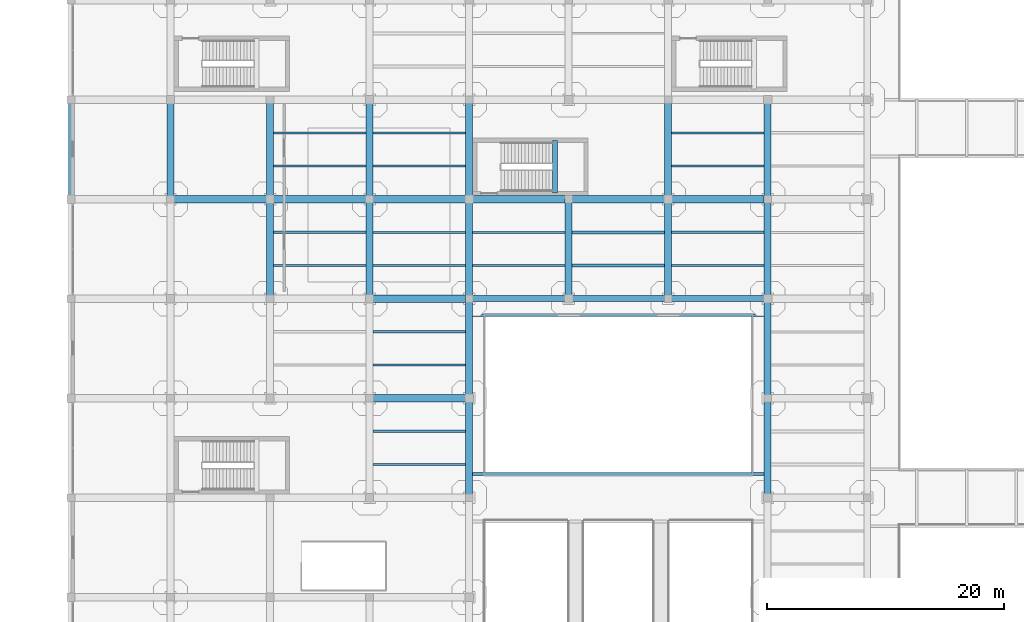
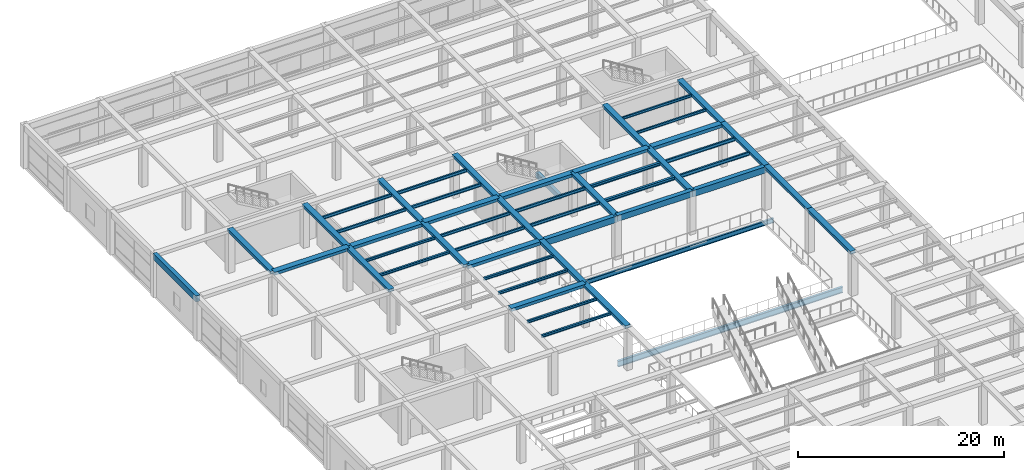
# One storey, part 20 of 65: 51 beams.
"""IFC4 building model written with IfcOpenShell, lengths in metres."""

from ifc_helpers import new_model, si_unit, direction, frame, origin, origin_2d, place, context, subcontext, project, spatial, rectangle, i_section, extrude, material, material_profile, profile_set, type_object, element, save


model = new_model("IFC4")

# Units and contexts
model_context = context("Model", 3, precision=1e-05, world=origin(), true_north=direction((0.0, 1.0)))
body_context = subcontext(model_context, "Body", "Model", "MODEL_VIEW")
ifc_project = project(units=[si_unit("LENGTHUNIT", "METRE"), si_unit("AREAUNIT", "SQUARE_METRE"), si_unit("VOLUMEUNIT", "CUBIC_METRE"), si_unit("PLANEANGLEUNIT", "RADIAN"), si_unit("MASSUNIT", "GRAM", prefix="KILO")], contexts=[model_context])

# Site, building, storey
site_placement = place(None, origin())
site = spatial("IfcSite", under=ifc_project, at=site_placement, CompositionType="ELEMENT")
building_placement = place(site_placement, origin())
building = spatial("IfcBuilding", under=site, at=building_placement, Name="Almacenes y Pasaje Nevantli", CompositionType="ELEMENT")
storey_placement = place(building_placement, frame((0.0, 0.0, 16.800048828125)))
storey = spatial("IfcBuildingStorey", under=building, at=storey_placement, Name="L04", CompositionType="ELEMENT", Elevation=16.800048828125)

# Beams
ifc_material_1 = material(Name="Concrete C35/45", Category="concrete")
ifc_material_profile_1 = material_profile(ifc_material_1, rectangle(XDim=0.39990234375, YDim=0.60009765625, at=origin_2d()), Name="RC-BM-400x600")
ifc_profile_set_1 = profile_set([ifc_material_profile_1], Name="Concrete C35/45")
beam_type_1 = type_object("IfcBeamType", Name="BM-RC-400x600", PredefinedType="SPANDREL", material=ifc_profile_set_1)
beam_1_placement = place(storey_placement, frame((40.85009765625, 84.5, 2.199951171875), z_axis=(0.0, 1.0, 0.0), x_axis=(-1.0, 0.0, 0.0)))
element("IfcBeam", 1, at=beam_1_placement, inside=storey, type_object=beam_type_1, Name="L04 Stair ST-15 Half-Landing Support Beam", PredefinedType="SPANDREL", context=body_context, shape_type="SweptSolid", body=[
    extrude(rectangle(XDim=0.39990234375, YDim=0.60009765625, at=origin_2d()), origin(), (0.0, 0.0, 1.0), 4.449951171875),
])
ifc_material_2 = material(Name="Concrete C35/45", Category="concrete")
ifc_material_profile_2 = material_profile(ifc_material_2, rectangle(XDim=0.449951171875, YDim=0.699951171875, at=origin_2d()), Name="RC-BM-450x700")
ifc_profile_set_2 = profile_set([ifc_material_profile_2], Name="Concrete C35/45")
beam_type_2 = type_object("IfcBeamType", Name="BM-RC-450x700", PredefinedType="SPANDREL", material=ifc_profile_set_2)
beam_2_placement = place(storey_placement, frame((0.0, 84.0, 4.75), z_axis=(0.0, 1.0, 0.0), x_axis=(-1.0, 0.0, 0.0)))
element("IfcBeam", 2, at=beam_2_placement, inside=storey, type_object=beam_type_2, Name="L04 North-South Reinforced Concrete Beam #3000", PredefinedType="SPANDREL", context=body_context, shape_type="SweptSolid", body=[
    extrude(rectangle(XDim=0.449951171875, YDim=0.699951171875, at=origin_2d()), origin(), (0.0, 0.0, 1.0), 8.39990234375),
])
ifc_material_3 = material(Name="Concrete C35/45", Category="concrete")
ifc_material_profile_3 = material_profile(ifc_material_3, rectangle(XDim=0.5, YDim=0.699951171875, at=origin_2d()), Name="RC-BM-500x700")
ifc_profile_set_3 = profile_set([ifc_material_profile_3], Name="Concrete C35/45")
beam_type_3 = type_object("IfcBeamType", Name="BM-RC-500x700", PredefinedType="BEAM", material=ifc_profile_set_3)
beam_3_placement = place(storey_placement, frame((42.0, 75.60009765625, 4.75), z_axis=(1.0, 0.0, 0.0), x_axis=(0.0, 1.0, 0.0)))
element("IfcBeam", 3, at=beam_3_placement, inside=storey, type_object=beam_type_3, Name="L04 East-West Reinforced Concrete Beam #2893", PredefinedType="BEAM", context=body_context, shape_type="SweptSolid", body=[
    extrude(rectangle(XDim=0.5, YDim=0.699951171875, at=origin_2d()), origin(), (0.0, 0.0, 1.0), 8.39990234375),
])
ifc_material_4 = material(Name="Concrete C35/45", Category="concrete")
ifc_material_profile_4 = material_profile(ifc_material_4, rectangle(XDim=0.5, YDim=0.75, at=origin_2d()), Name="RC-BM-500x750")
ifc_profile_set_4 = profile_set([ifc_material_profile_4], Name="Concrete C35/45")
beam_type_4 = type_object("IfcBeamType", Name="BM-RC-500x750", PredefinedType="BEAM", material=ifc_profile_set_4)
beam_4_placement = place(storey_placement, frame((33.60009765625, 75.60009765625, 4.724853515625), z_axis=(1.0, 0.0, 0.0), x_axis=(0.0, 1.0, 0.0)))
element("IfcBeam", 4, at=beam_4_placement, inside=storey, type_object=beam_type_4, Name="L04 East-West Reinforced Concrete Beam #2892", PredefinedType="BEAM", context=body_context, shape_type="SweptSolid", body=[
    extrude(rectangle(XDim=0.5, YDim=0.75, at=origin_2d()), origin(), (0.0, 0.0, 1.0), 8.39990234375),
])
beam_5_placement = place(storey_placement, frame((50.39990234375, 75.60009765625, 4.724853515625), z_axis=(1.0, 0.0, 0.0), x_axis=(0.0, 1.0, 0.0)))
element("IfcBeam", 5, at=beam_5_placement, inside=storey, type_object=beam_type_4, Name="L04 East-West Reinforced Concrete Beam #2894", PredefinedType="BEAM", context=body_context, shape_type="SweptSolid", body=[
    extrude(rectangle(XDim=0.5, YDim=0.75, at=origin_2d()), origin(), (0.0, 0.0, 1.0), 8.400146484375),
])
ifc_material_5 = material(Name="Concrete C35/45", Category="concrete")
ifc_material_profile_5 = material_profile(ifc_material_5, rectangle(XDim=0.60009765625, YDim=0.320068359375, at=origin_2d()), Name="RC-BM-600x320")
ifc_profile_set_5 = profile_set([ifc_material_profile_5], Name="Concrete C35/45")
beam_type_5 = type_object("IfcBeamType", Name="BM-RC-600x320", PredefinedType="BEAM", material=ifc_profile_set_5)
for number, where, z_axis, x_axis, name in (
    (6, (8.39990234375, 84.0, 4.93994140625), (0.0, 1.0, 0.0), (-1.0, 0.0, 0.0), "L04 North-South Reinforced Concrete Beam #3011"),
    (7, (16.800048828125, 75.60009765625, 4.93994140625), (0.0, 1.0, 0.0), (-1.0, 0.0, 0.0), "L04 North-South Reinforced Concrete Beam #3020"),
    (8, (25.199951171875, 84.0, 4.93994140625), (0.0, 1.0, 0.0), (-1.0, 0.0, 0.0), "L04 North-South Reinforced Concrete Beam #3033"),
    (9, (33.60009765625, 58.800048828125, 4.93994140625), (0.0, 1.0, 0.0), (-1.0, 0.0, 0.0), "L04 North-South Reinforced Concrete Beam #3043"),
    (10, (33.60009765625, 75.60009765625, 4.93994140625), (0.0, 1.0, 0.0), (-1.0, 0.0, 0.0), "L04 North-South Reinforced Concrete Beam #3045"),
    (11, (50.39990234375, 75.60009765625, 4.93994140625), (0.0, 1.0, 0.0), (-1.0, 0.0, 0.0), "L04 North-South Reinforced Concrete Beam #3063"),
):
    element("IfcBeam", number, at=place(storey_placement, frame(where, z_axis=z_axis, x_axis=x_axis)), inside=storey, type_object=beam_type_5, Name=name, PredefinedType="BEAM", context=body_context, shape_type="SweptSolid", body=[
        extrude(rectangle(XDim=0.60009765625, YDim=0.320068359375, at=origin_2d()), origin(), (0.0, 0.0, 1.0), 8.39990234375),
    ])
beam_6_placement = place(storey_placement, frame((58.800048828125, 67.199951171875, 4.93994140625), z_axis=(0.0, 1.0, 0.0), x_axis=(-1.0, 0.0, 0.0)))
element("IfcBeam", 12, at=beam_6_placement, inside=storey, type_object=beam_type_5, Name="L04 North-South Reinforced Concrete Beam #3076", PredefinedType="BEAM", context=body_context, shape_type="SweptSolid", body=[
    extrude(rectangle(XDim=0.60009765625, YDim=0.320068359375, at=origin_2d()), origin(), (0.0, 0.0, 1.0), 8.400146484375),
])
beam_7_placement = place(storey_placement, frame((58.800048828125, 84.0, 4.93994140625), z_axis=(0.0, 1.0, 0.0), x_axis=(-1.0, 0.0, 0.0)))
element("IfcBeam", 13, at=beam_7_placement, inside=storey, type_object=beam_type_5, Name="L04 North-South Reinforced Concrete Beam #3078", PredefinedType="BEAM", context=body_context, shape_type="SweptSolid", body=[
    extrude(rectangle(XDim=0.60009765625, YDim=0.320068359375, at=origin_2d()), origin(), (0.0, 0.0, 1.0), 8.39990234375),
])
ifc_material_6 = material(Name="Concrete C35/45", Category="concrete")
ifc_material_profile_6 = material_profile(ifc_material_6, rectangle(XDim=0.60009765625, YDim=0.340087890625, at=origin_2d()), Name="RC-BM-600x340")
ifc_profile_set_6 = profile_set([ifc_material_profile_6], Name="Concrete C35/45")
beam_type_6 = type_object("IfcBeamType", Name="BM-RC-600x340", PredefinedType="BEAM", material=ifc_profile_set_6)
for number, where, z_axis, x_axis, name in (
    (14, (16.800048828125, 84.0, 4.929931640625), (0.0, 1.0, 0.0), (-1.0, 0.0, 0.0), "L04 North-South Reinforced Concrete Beam #3021"),
    (15, (25.199951171875, 75.60009765625, 4.929931640625), (0.0, 1.0, 0.0), (-1.0, 0.0, 0.0), "L04 North-South Reinforced Concrete Beam #3032"),
):
    element("IfcBeam", number, at=place(storey_placement, frame(where, z_axis=z_axis, x_axis=x_axis)), inside=storey, type_object=beam_type_6, Name=name, PredefinedType="BEAM", context=body_context, shape_type="SweptSolid", body=[
        extrude(rectangle(XDim=0.60009765625, YDim=0.340087890625, at=origin_2d()), origin(), (0.0, 0.0, 1.0), 8.39990234375),
    ])
beam_8_placement = place(storey_placement, frame((33.60009765625, 67.199951171875, 4.929931640625), z_axis=(0.0, 1.0, 0.0), x_axis=(-1.0, 0.0, 0.0)))
element("IfcBeam", 16, at=beam_8_placement, inside=storey, type_object=beam_type_6, Name="L04 North-South Reinforced Concrete Beam #3044", PredefinedType="BEAM", context=body_context, shape_type="SweptSolid", body=[
    extrude(rectangle(XDim=0.60009765625, YDim=0.340087890625, at=origin_2d()), origin(), (0.0, 0.0, 1.0), 8.400146484375),
])
for number, where, z_axis, x_axis, name in (
    (17, (33.60009765625, 84.0, 4.929931640625), (0.0, 1.0, 0.0), (-1.0, 0.0, 0.0), "L04 North-South Reinforced Concrete Beam #3046"),
    (18, (42.0, 75.60009765625, 4.929931640625), (0.0, 1.0, 0.0), (-1.0, 0.0, 0.0), "L04 North-South Reinforced Concrete Beam #3055"),
    (19, (50.39990234375, 84.0, 4.929931640625), (0.0, 1.0, 0.0), (-1.0, 0.0, 0.0), "L04 North-South Reinforced Concrete Beam #3064"),
    (20, (58.800048828125, 58.800048828125, 4.929931640625), (0.0, 1.0, 0.0), (-1.0, 0.0, 0.0), "L04 North-South Reinforced Concrete Beam #3075"),
    (21, (58.800048828125, 75.60009765625, 4.929931640625), (0.0, 1.0, 0.0), (-1.0, 0.0, 0.0), "L04 North-South Reinforced Concrete Beam #3077"),
):
    element("IfcBeam", number, at=place(storey_placement, frame(where, z_axis=z_axis, x_axis=x_axis)), inside=storey, type_object=beam_type_6, Name=name, PredefinedType="BEAM", context=body_context, shape_type="SweptSolid", body=[
        extrude(rectangle(XDim=0.60009765625, YDim=0.340087890625, at=origin_2d()), origin(), (0.0, 0.0, 1.0), 8.39990234375),
    ])
ifc_material_7 = material(Name="Concrete C35/45", Category="concrete")
ifc_material_profile_7 = material_profile(ifc_material_7, rectangle(XDim=0.64990234375, YDim=0.35009765625, at=origin_2d()), Name="RC-BM-650x350")
ifc_profile_set_7 = profile_set([ifc_material_profile_7], Name="Concrete C35/45")
beam_type_7 = type_object("IfcBeamType", Name="BM-RC-650x350", PredefinedType="BEAM", material=ifc_profile_set_7)
for number, where, z_axis, x_axis, name in (
    (22, (25.199951171875, 67.199951171875, 4.925048828125), (1.0, 0.0, 0.0), (0.0, 1.0, 0.0), "L04 East-West Reinforced Concrete Beam #2877"),
    (23, (8.39990234375, 84.0, 4.925048828125), (1.0, 0.0, 0.0), (0.0, 1.0, 0.0), "L04 East-West Reinforced Concrete Beam #2906"),
    (24, (25.199951171875, 84.0, 4.925048828125), (1.0, 0.0, 0.0), (0.0, 1.0, 0.0), "L04 East-West Reinforced Concrete Beam #2908"),
):
    element("IfcBeam", number, at=place(storey_placement, frame(where, z_axis=z_axis, x_axis=x_axis)), inside=storey, type_object=beam_type_7, Name=name, PredefinedType="BEAM", context=body_context, shape_type="SweptSolid", body=[
        extrude(rectangle(XDim=0.64990234375, YDim=0.35009765625, at=origin_2d()), origin(), (0.0, 0.0, 1.0), 8.400146484375),
    ])
beam_9_placement = place(storey_placement, frame((42.0, 84.0, 4.925048828125), z_axis=(1.0, 0.0, 0.0), x_axis=(0.0, 1.0, 0.0)))
element("IfcBeam", 25, at=beam_9_placement, inside=storey, type_object=beam_type_7, Name="L04 East-West Reinforced Concrete Beam #2910", PredefinedType="BEAM", context=body_context, shape_type="SweptSolid", body=[
    extrude(rectangle(XDim=0.64990234375, YDim=0.35009765625, at=origin_2d()), origin(), (0.0, 0.0, 1.0), 8.39990234375),
])
ifc_material_8 = material(Name="Concrete C35/45", Category="concrete")
ifc_material_profile_8 = material_profile(ifc_material_8, rectangle(XDim=0.64990234375, YDim=0.3798828125, at=origin_2d()), Name="RC-BM-650x380")
ifc_profile_set_8 = profile_set([ifc_material_profile_8], Name="Concrete C35/45")
beam_type_8 = type_object("IfcBeamType", Name="BM-RC-650x380", PredefinedType="BEAM", material=ifc_profile_set_8)
beam_10_placement = place(storey_placement, frame((25.199951171875, 75.60009765625, 4.909912109375), z_axis=(1.0, 0.0, 0.0), x_axis=(0.0, 1.0, 0.0)))
element("IfcBeam", 26, at=beam_10_placement, inside=storey, type_object=beam_type_8, Name="L04 East-West Reinforced Concrete Beam #2891", PredefinedType="BEAM", context=body_context, shape_type="SweptSolid", body=[
    extrude(rectangle(XDim=0.64990234375, YDim=0.3798828125, at=origin_2d()), origin(), (0.0, 0.0, 1.0), 8.400146484375),
])
for number, where, z_axis, x_axis, name in (
    (27, (16.800048828125, 84.0, 4.909912109375), (1.0, 0.0, 0.0), (0.0, 1.0, 0.0), "L04 East-West Reinforced Concrete Beam #2907"),
    (28, (33.60009765625, 84.0, 4.909912109375), (1.0, 0.0, 0.0), (0.0, 1.0, 0.0), "L04 East-West Reinforced Concrete Beam #2909"),
):
    element("IfcBeam", number, at=place(storey_placement, frame(where, z_axis=z_axis, x_axis=x_axis)), inside=storey, type_object=beam_type_8, Name=name, PredefinedType="BEAM", context=body_context, shape_type="SweptSolid", body=[
        extrude(rectangle(XDim=0.64990234375, YDim=0.3798828125, at=origin_2d()), origin(), (0.0, 0.0, 1.0), 8.39990234375),
    ])
beam_11_placement = place(storey_placement, frame((50.39990234375, 84.0, 4.909912109375), z_axis=(1.0, 0.0, 0.0), x_axis=(0.0, 1.0, 0.0)))
element("IfcBeam", 29, at=beam_11_placement, inside=storey, type_object=beam_type_8, Name="L04 East-West Reinforced Concrete Beam #2911", PredefinedType="BEAM", context=body_context, shape_type="SweptSolid", body=[
    extrude(rectangle(XDim=0.64990234375, YDim=0.3798828125, at=origin_2d()), origin(), (0.0, 0.0, 1.0), 8.400146484375),
])
ifc_material_9 = material(Name="Steel ASTM A992", Category="steel")
ifc_material_profile_9 = material_profile(ifc_material_9, i_section(OverallWidth=0.1650390625, OverallDepth=0.306884765625, WebThickness=0.006591796875, FlangeThickness=0.01025390625, at=origin_2d()), Name="IR 305x44.6")
ifc_profile_set_9 = profile_set([ifc_material_profile_9], Name="Steel ASTM A992")
beam_type_9 = type_object("IfcBeamType", Name="BM-STL-IR-305x44p6", PredefinedType="JOIST", material=ifc_profile_set_9)
for number, where, z_axis, x_axis, name in (
    (30, (50.699951171875, 86.800048828125, 4.9384765625), (1.0, 0.0, 0.0), (0.0, 1.0, 0.0), "L04 Secondary Steel Floor Joist #1101"),
    (31, (50.699951171875, 89.60009765625, 4.9384765625), (1.0, 0.0, 0.0), (0.0, 1.0, 0.0), "L04 Secondary Steel Floor Joist #1102"),
):
    element("IfcBeam", number, at=place(storey_placement, frame(where, z_axis=z_axis, x_axis=x_axis)), inside=storey, type_object=beam_type_9, Name=name, PredefinedType="JOIST", context=body_context, shape_type="SweptSolid", body=[
        extrude(i_section(OverallWidth=0.1650390625, OverallDepth=0.306884765625, WebThickness=0.006591796875, FlangeThickness=0.01025390625, at=origin_2d()), origin(), (0.0, 0.0, 1.0), 7.800048828125),
    ])
ifc_material_10 = material(Name="Steel ASTM A992", Category="steel")
ifc_material_profile_10 = material_profile(ifc_material_10, i_section(OverallWidth=0.202880859375, OverallDepth=0.304931640625, WebThickness=0.007568359375, FlangeThickness=0.01318359375, at=origin_2d()), Name="IR 305x59.5")
ifc_profile_set_10 = profile_set([ifc_material_profile_10], Name="Steel ASTM A992")
beam_type_10 = type_object("IfcBeamType", Name="BM-STL-IR-305x59p5", PredefinedType="JOIST", material=ifc_profile_set_10)
for number, where, z_axis, x_axis, name in (
    (32, (25.5, 61.60009765625, 4.939453125), (1.0, 0.0, 0.0), (0.0, 1.0, 0.0), "L04 Secondary Steel Floor Joist #1045"),
    (33, (25.5, 64.39990234375, 4.939453125), (1.0, 0.0, 0.0), (0.0, 1.0, 0.0), "L04 Secondary Steel Floor Joist #1046"),
):
    element("IfcBeam", number, at=place(storey_placement, frame(where, z_axis=z_axis, x_axis=x_axis)), inside=storey, type_object=beam_type_10, Name=name, PredefinedType="JOIST", context=body_context, shape_type="SweptSolid", body=[
        extrude(i_section(OverallWidth=0.202880859375, OverallDepth=0.304931640625, WebThickness=0.007568359375, FlangeThickness=0.01318359375, at=origin_2d()), origin(), (0.0, 0.0, 1.0), 7.800048828125),
    ])
ifc_material_11 = material(Name="Steel ASTM A992", Category="steel")
ifc_material_profile_11 = material_profile(ifc_material_11, i_section(OverallWidth=0.205078125, OverallDepth=0.31005859375, WebThickness=0.009521484375, FlangeThickness=0.016357421875, at=origin_2d()), Name="IR 305x74.4")
ifc_profile_set_11 = profile_set([ifc_material_profile_11], Name="Steel ASTM A992")
beam_type_11 = type_object("IfcBeamType", Name="BM-STL-IR-305x74p4", PredefinedType="JOIST", material=ifc_profile_set_11)
for number, where, z_axis, x_axis, name in (
    (34, (17.10009765625, 78.39990234375, 4.93701171875), (1.0, 0.0, 0.0), (0.0, 1.0, 0.0), "L04 Secondary Steel Floor Joist #1027"),
    (35, (17.10009765625, 81.199951171875, 4.93701171875), (1.0, 0.0, 0.0), (0.0, 1.0, 0.0), "L04 Secondary Steel Floor Joist #1028"),
):
    element("IfcBeam", number, at=place(storey_placement, frame(where, z_axis=z_axis, x_axis=x_axis)), inside=storey, type_object=beam_type_11, Name=name, PredefinedType="JOIST", context=body_context, shape_type="SweptSolid", body=[
        extrude(i_section(OverallWidth=0.205078125, OverallDepth=0.31005859375, WebThickness=0.009521484375, FlangeThickness=0.016357421875, at=origin_2d()), origin(), (0.0, 0.0, 1.0), 7.7998046875),
    ])
for number, where, z_axis, x_axis, name in (
    (36, (25.5, 70.0, 4.93701171875), (1.0, 0.0, 0.0), (0.0, 1.0, 0.0), "L04 Secondary Steel Floor Joist #1047"),
    (37, (25.5, 72.800048828125, 4.93701171875), (1.0, 0.0, 0.0), (0.0, 1.0, 0.0), "L04 Secondary Steel Floor Joist #1048"),
):
    element("IfcBeam", number, at=place(storey_placement, frame(where, z_axis=z_axis, x_axis=x_axis)), inside=storey, type_object=beam_type_11, Name=name, PredefinedType="JOIST", context=body_context, shape_type="SweptSolid", body=[
        extrude(i_section(OverallWidth=0.205078125, OverallDepth=0.31005859375, WebThickness=0.009521484375, FlangeThickness=0.016357421875, at=origin_2d()), origin(), (0.0, 0.0, 1.0), 7.800048828125),
    ])
ifc_material_12 = material(Name="Steel ASTM A992", Category="steel")
ifc_material_profile_12 = material_profile(ifc_material_12, i_section(OverallWidth=0.173095703125, OverallDepth=0.35302734375, WebThickness=0.0078125, FlangeThickness=0.01318359375, at=origin_2d()), Name="IR 356x56.6")
ifc_profile_set_12 = profile_set([ifc_material_profile_12], Name="Steel ASTM A992")
beam_type_12 = type_object("IfcBeamType", Name="BM-STL-IR-356x56p6", PredefinedType="JOIST", material=ifc_profile_set_12)
for number, where, z_axis, x_axis, name in (
    (38, (17.10009765625, 86.800048828125, 4.91552734375), (1.0, 0.0, 0.0), (0.0, 1.0, 0.0), "L04 Secondary Steel Floor Joist #1029"),
    (39, (17.10009765625, 89.60009765625, 4.91552734375), (1.0, 0.0, 0.0), (0.0, 1.0, 0.0), "L04 Secondary Steel Floor Joist #1030"),
):
    element("IfcBeam", number, at=place(storey_placement, frame(where, z_axis=z_axis, x_axis=x_axis)), inside=storey, type_object=beam_type_12, Name=name, PredefinedType="JOIST", context=body_context, shape_type="SweptSolid", body=[
        extrude(i_section(OverallWidth=0.173095703125, OverallDepth=0.35302734375, WebThickness=0.0078125, FlangeThickness=0.01318359375, at=origin_2d()), origin(), (0.0, 0.0, 1.0), 7.7998046875),
    ])
for number, where, z_axis, x_axis, name in (
    (40, (25.5, 78.39990234375, 4.91552734375), (1.0, 0.0, 0.0), (0.0, 1.0, 0.0), "L04 Secondary Steel Floor Joist #1049"),
    (41, (25.5, 81.199951171875, 4.91552734375), (1.0, 0.0, 0.0), (0.0, 1.0, 0.0), "L04 Secondary Steel Floor Joist #1050"),
):
    element("IfcBeam", number, at=place(storey_placement, frame(where, z_axis=z_axis, x_axis=x_axis)), inside=storey, type_object=beam_type_12, Name=name, PredefinedType="JOIST", context=body_context, shape_type="SweptSolid", body=[
        extrude(i_section(OverallWidth=0.173095703125, OverallDepth=0.35302734375, WebThickness=0.0078125, FlangeThickness=0.01318359375, at=origin_2d()), origin(), (0.0, 0.0, 1.0), 7.800048828125),
    ])
ifc_material_13 = material(Name="Steel ASTM A992", Category="steel")
ifc_material_profile_13 = material_profile(ifc_material_13, i_section(OverallWidth=0.173095703125, OverallDepth=0.364013671875, WebThickness=0.009033203125, FlangeThickness=0.015625, at=origin_2d()), Name="IR 356x67.0")
ifc_profile_set_13 = profile_set([ifc_material_profile_13], Name="Steel ASTM A992")
beam_type_13 = type_object("IfcBeamType", Name="BM-STL-IR-356x67p0", PredefinedType="JOIST", material=ifc_profile_set_13)
for number, where, z_axis, x_axis, name in (
    (42, (25.5, 86.800048828125, 4.909912109375), (1.0, 0.0, 0.0), (0.0, 1.0, 0.0), "L04 Secondary Steel Floor Joist #1051"),
    (43, (25.5, 89.60009765625, 4.909912109375), (1.0, 0.0, 0.0), (0.0, 1.0, 0.0), "L04 Secondary Steel Floor Joist #1052"),
    (44, (33.89990234375, 78.39990234375, 4.909912109375), (1.0, 0.0, 0.0), (0.0, 1.0, 0.0), "L04 Secondary Steel Floor Joist #1067"),
    (45, (33.89990234375, 81.199951171875, 4.909912109375), (1.0, 0.0, 0.0), (0.0, 1.0, 0.0), "L04 Secondary Steel Floor Joist #1068"),
):
    element("IfcBeam", number, at=place(storey_placement, frame(where, z_axis=z_axis, x_axis=x_axis)), inside=storey, type_object=beam_type_13, Name=name, PredefinedType="JOIST", context=body_context, shape_type="SweptSolid", body=[
        extrude(i_section(OverallWidth=0.173095703125, OverallDepth=0.364013671875, WebThickness=0.009033203125, FlangeThickness=0.015625, at=origin_2d()), origin(), (0.0, 0.0, 1.0), 7.800048828125),
    ])
ifc_material_14 = material(Name="Steel ASTM A992", Category="steel")
ifc_material_profile_14 = material_profile(ifc_material_14, i_section(OverallWidth=0.25390625, OverallDepth=0.35595703125, WebThickness=0.009521484375, FlangeThickness=0.016357421875, at=origin_2d()), Name="IR 356x79.0")
ifc_profile_set_14 = profile_set([ifc_material_profile_14], Name="Steel ASTM A992")
beam_type_14 = type_object("IfcBeamType", Name="BM-STL-IR-356x79p0", PredefinedType="JOIST", material=ifc_profile_set_14)
for number, where, z_axis, x_axis, name in (
    (46, (42.300048828125, 78.39990234375, 4.9140625), (1.0, 0.0, 0.0), (0.0, 1.0, 0.0), "L04 Secondary Steel Floor Joist #1083"),
    (47, (42.300048828125, 81.199951171875, 4.9140625), (1.0, 0.0, 0.0), (0.0, 1.0, 0.0), "L04 Secondary Steel Floor Joist #1084"),
):
    element("IfcBeam", number, at=place(storey_placement, frame(where, z_axis=z_axis, x_axis=x_axis)), inside=storey, type_object=beam_type_14, Name=name, PredefinedType="JOIST", context=body_context, shape_type="SweptSolid", body=[
        extrude(i_section(OverallWidth=0.25390625, OverallDepth=0.35595703125, WebThickness=0.009521484375, FlangeThickness=0.016357421875, at=origin_2d()), origin(), (0.0, 0.0, 1.0), 7.800048828125),
    ])
ifc_material_15 = material(Name="Steel ASTM A992", Category="steel")
ifc_material_profile_15 = material_profile(ifc_material_15, i_section(OverallWidth=0.178955078125, OverallDepth=0.406005859375, WebThickness=0.0087890625, FlangeThickness=0.014404296875, at=origin_2d()), Name="IR 406x67.0")
ifc_profile_set_15 = profile_set([ifc_material_profile_15], Name="Steel ASTM A992")
beam_type_15 = type_object("IfcBeamType", Name="BM-STL-IR-406x67p0", PredefinedType="JOIST", material=ifc_profile_set_15)
for number, where, z_axis, x_axis, name in (
    (48, (50.699951171875, 78.39990234375, 4.888916015625), (1.0, 0.0, 0.0), (0.0, 1.0, 0.0), "L04 Secondary Steel Floor Joist #1099"),
    (49, (50.699951171875, 81.199951171875, 4.888916015625), (1.0, 0.0, 0.0), (0.0, 1.0, 0.0), "L04 Secondary Steel Floor Joist #1100"),
):
    element("IfcBeam", number, at=place(storey_placement, frame(where, z_axis=z_axis, x_axis=x_axis)), inside=storey, type_object=beam_type_15, Name=name, PredefinedType="JOIST", context=body_context, shape_type="SweptSolid", body=[
        extrude(i_section(OverallWidth=0.178955078125, OverallDepth=0.406005859375, WebThickness=0.0087890625, FlangeThickness=0.014404296875, at=origin_2d()), origin(), (0.0, 0.0, 1.0), 7.800048828125),
    ])
ifc_material_16 = material(Name="Steel ASTM A992", Category="steel")
ifc_material_profile_16 = material_profile(ifc_material_16, i_section(OverallWidth=0.2119140625, OverallDepth=0.5439453125, WebThickness=0.01318359375, FlangeThickness=0.021240234375, at=origin_2d()), Name="IR 533x123.5")
ifc_profile_set_16 = profile_set([ifc_material_profile_16], Name="Steel ASTM A992")
beam_type_16 = type_object("IfcBeamType", Name="BM-STL-IR-533x123p5", PredefinedType="BEAM", material=ifc_profile_set_16)
beam_12_placement = place(storey_placement, frame((33.60009765625, 74.199951171875, -0.580078125), z_axis=(1.0, 0.0, 0.0), x_axis=(0.0, 1.0, 0.0)))
element("IfcBeam", 50, at=beam_12_placement, inside=storey, type_object=beam_type_16, Name="L04 Atrium Escalator Bridge and Trimmer Girder #4", PredefinedType="BEAM", context=body_context, shape_type="SweptSolid", body=[
    extrude(i_section(OverallWidth=0.2119140625, OverallDepth=0.5439453125, WebThickness=0.01318359375, FlangeThickness=0.021240234375, at=origin_2d()), origin(), (0.0, 0.0, 1.0), 25.199951171875),
])
ifc_material_17 = material(Name="Steel ASTM A992", Category="steel")
ifc_material_profile_17 = material_profile(ifc_material_17, i_section(OverallWidth=0.25390625, OverallDepth=0.68798828125, WebThickness=0.01318359375, FlangeThickness=0.02099609375, at=origin_2d()), Name="IR 686x152.0")
ifc_profile_set_17 = profile_set([ifc_material_profile_17], Name="Steel ASTM A992")
beam_type_17 = type_object("IfcBeamType", Name="BM-STL-IR-686x152p0", PredefinedType="BEAM", material=ifc_profile_set_17)
beam_13_placement = place(storey_placement, frame((33.60009765625, 60.800048828125, -0.652099609375), z_axis=(1.0, 0.0, 0.0), x_axis=(0.0, 1.0, 0.0)))
element("IfcBeam", 51, at=beam_13_placement, inside=storey, type_object=beam_type_17, Name="L04 Atrium Escalator Bridge and Trimmer Girder #3", PredefinedType="BEAM", context=body_context, shape_type="SweptSolid", body=[
    extrude(i_section(OverallWidth=0.25390625, OverallDepth=0.68798828125, WebThickness=0.01318359375, FlangeThickness=0.02099609375, at=origin_2d()), origin(), (0.0, 0.0, 1.0), 25.199951171875),
])

save(model, "model.ifc")
